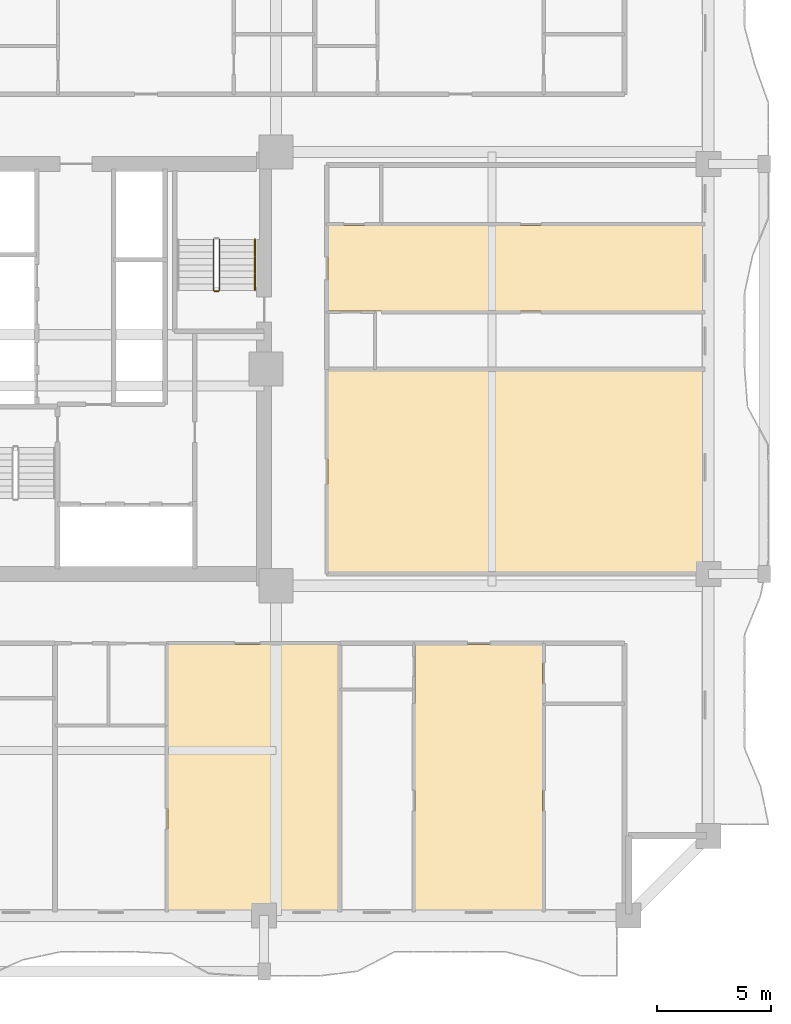
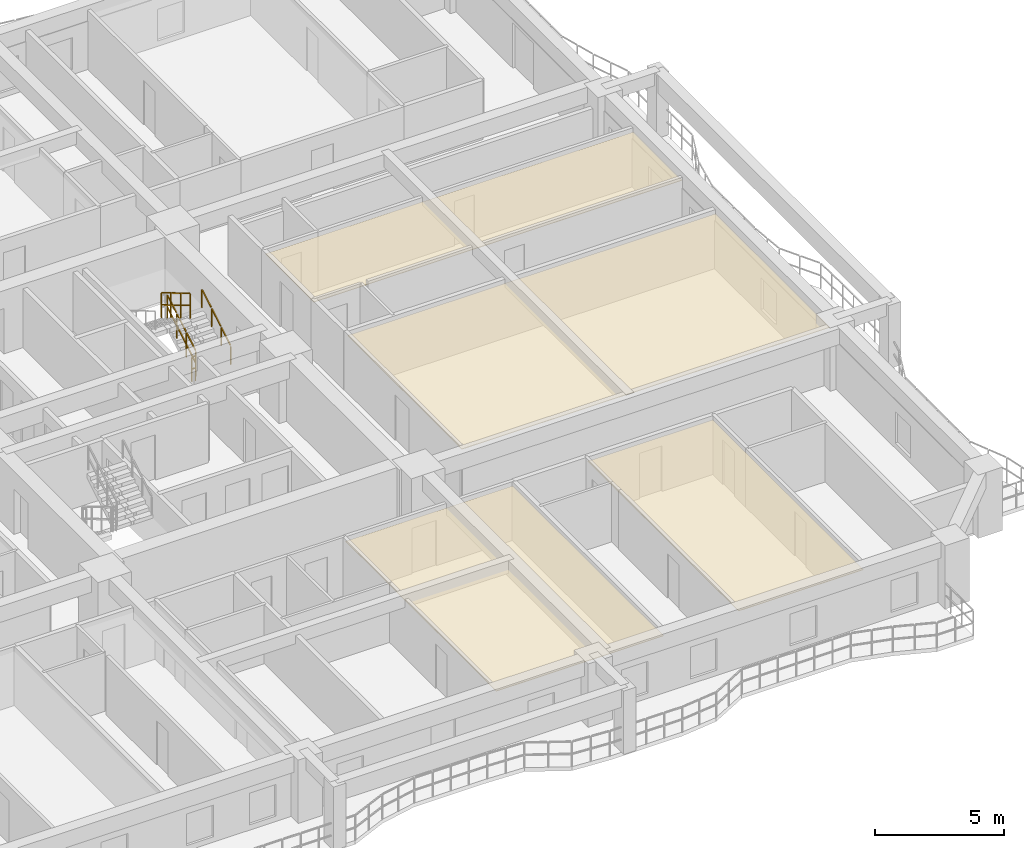
# One storey, part 13 of 15: 4 coverings, 4 railings.
"""IFC4 building model written with IfcOpenShell, lengths in metres."""

from ifc_helpers import new_model, si_unit, direction, frame, origin, origin_2d, place, context, subcontext, project, spatial, polyline, rectangle, outline, extrude, material, layer, layer_set, type_object, element, save


model = new_model("IFC4")

# Units and contexts
model_context = context("Model", 3, precision=1e-05, world=origin(), true_north=direction((0.0, 1.0)))
body_context = subcontext(model_context, "Body", "Model", "MODEL_VIEW")
ifc_project = project(units=[si_unit("LENGTHUNIT", "METRE"), si_unit("AREAUNIT", "SQUARE_METRE"), si_unit("VOLUMEUNIT", "CUBIC_METRE"), si_unit("PLANEANGLEUNIT", "RADIAN"), si_unit("MASSUNIT", "GRAM", prefix="KILO")], contexts=[model_context])

# Site, building, storey
site_placement = place(None, origin())
site = spatial("IfcSite", under=ifc_project, at=site_placement, CompositionType="ELEMENT")
building_placement = place(site_placement, origin())
building = spatial("IfcBuilding", under=site, at=building_placement, Name="Saelheon Loggia Tower", CompositionType="ELEMENT")
storey_placement = place(building_placement, frame((0.0, 0.0, 49.39990234375)))
storey = spatial("IfcBuildingStorey", under=building, at=storey_placement, Name="L15", CompositionType="ELEMENT", Elevation=49.39990234375)

# Coverings
ifc_material_1 = material(Name="Mineral-Fibre Acoustic Ceiling Board", Category="gypsum")
ifc_layer = layer(ifc_material_1, 0.02490234375)
ifc_layer_set = layer_set([ifc_layer], Name="Mineral-Fibre Acoustic Ceiling Board")
covering_type = type_object("IfcCoveringType", Name="Cov_Ceiling_Acoustic", PredefinedType="CEILING", material=ifc_layer_set)
covering_1_placement = place(storey_placement, frame((0.0, 0.0, 2.53515625)))
element("IfcCovering", 1, at=covering_1_placement, inside=storey, type_object=covering_type, Name="L15 Acoustic Suspended Ceiling", PredefinedType="CEILING", context=body_context, shape_type="SweptSolid", body=[
    extrude(outline(polyline([(40.271484375, 3.199951171875), (47.770751953125, 3.199951171875), (47.770751953125, 14.89990234375), (40.271484375, 14.89990234375), (40.271484375, 3.199951171875)])), origin(), (0.0, 0.0, 1.0), 0.02490234375),
])
covering_2_placement = place(storey_placement, frame((0.0, 0.0, 2.53515625)))
element("IfcCovering", 2, at=covering_2_placement, inside=storey, type_object=covering_type, Name="L15 Acoustic Suspended Ceiling", PredefinedType="CEILING", context=body_context, shape_type="SweptSolid", body=[
    extrude(outline(polyline([(51.12060546875, 3.199951171875), (56.721923828125, 3.199951171875), (56.721923828125, 14.89990234375), (51.12060546875, 14.89990234375), (51.12060546875, 3.199951171875)])), origin(), (0.0, 0.0, 1.0), 0.02490234375),
])
covering_3_placement = place(storey_placement, frame((0.0, 0.0, 2.53515625)))
element("IfcCovering", 3, at=covering_3_placement, inside=storey, type_object=covering_type, Name="L15 Acoustic Suspended Ceiling", PredefinedType="CEILING", context=body_context, shape_type="SweptSolid", body=[
    extrude(outline(polyline([(47.300048828125, 18.050048828125), (63.800048828125, 18.050048828125), (63.800048828125, 26.925048828125), (47.300048828125, 26.925048828125), (47.300048828125, 18.050048828125)])), origin(), (0.0, 0.0, 1.0), 0.02490234375),
])
covering_4_placement = place(storey_placement, frame((0.0, 0.0, 2.53515625)))
element("IfcCovering", 4, at=covering_4_placement, inside=storey, type_object=covering_type, Name="L15 Acoustic Suspended Ceiling", PredefinedType="CEILING", context=body_context, shape_type="SweptSolid", body=[
    extrude(outline(polyline([(47.300048828125, 29.5380859375), (63.800048828125, 29.5380859375), (63.800048828125, 33.300048828125), (47.300048828125, 33.300048828125), (47.300048828125, 29.5380859375)])), origin(), (0.0, 0.0, 1.0), 0.02490234375),
])

# Railings
ifc_material_2 = material(Name="Galvanised Steel S275 Stairwell Guardrail", Category="steel")
railing_type_1 = type_object("IfcRailingType", Name="Guard_StairWell_RL_STG", PredefinedType="GUARDRAIL", material=ifc_material_2)
railing_1_placement = place(storey_placement, frame((42.5400390625, 30.449951171875, 0.166748046875)))
element("IfcRailing", 5, at=railing_1_placement, inside=storey, type_object=railing_type_1, Name="L15 ST2 stair guard 1", PredefinedType="GUARDRAIL", context=body_context, shape_type="SweptSolid", body=[
    extrude(rectangle(XDim=0.048095703125, YDim=0.048095703125, at=origin_2d()), frame((0.0, 0.028564453125, 1.19287109375), z_axis=(0.0, 0.859305625298, 0.511462454469), x_axis=(-1.0, 0.0, 0.0)), (0.0, 0.0, 1.0), 0.802490234375),
    extrude(rectangle(XDim=0.048095703125, YDim=0.048095703125, at=origin_2d()), frame((0.0, 0.028564453125, 0.616943359375), z_axis=(0.0, 0.859305625298, 0.511462454469), x_axis=(-1.0, 0.0, 0.0)), (0.0, 0.0, 1.0), 0.802490234375),
    extrude(rectangle(XDim=0.048095703125, YDim=0.048095703125, at=origin_2d()), frame((0.0, 0.775146484375, 1.63720703125), z_axis=(0.0, 0.859305625298, 0.511462454469), x_axis=(-1.0, 0.0, 0.0)), (0.0, 0.0, 1.0), 0.802490234375),
    extrude(rectangle(XDim=0.048095703125, YDim=0.048095703125, at=origin_2d()), frame((0.0, 0.775146484375, 1.061279296875), z_axis=(0.0, 0.859305625298, 0.511462454469), x_axis=(-1.0, 0.0, 0.0)), (0.0, 0.0, 1.0), 0.802490234375),
    extrude(rectangle(XDim=0.048095703125, YDim=0.048095703125, at=origin_2d()), frame((0.0, 1.52197265625, 2.081787109375), z_axis=(0.0, 0.859305625298, 0.511462454469), x_axis=(-1.0, 0.0, 0.0)), (0.0, 0.0, 1.0), 0.802490234375),
    extrude(rectangle(XDim=0.048095703125, YDim=0.048095703125, at=origin_2d()), frame((0.0, 1.52197265625, 1.505859375), z_axis=(0.0, 0.859305625298, 0.511462454469), x_axis=(-1.0, 0.0, 0.0)), (0.0, 0.0, 1.0), 0.802490234375),
    extrude(rectangle(XDim=0.0419921875, YDim=0.0419921875, at=origin_2d()), origin(), (0.0, 0.0, 1.0), 1.14794921875),
    extrude(rectangle(XDim=0.0419921875, YDim=0.0419921875, at=origin_2d()), frame((0.0, 0.74658203125, 0.4443359375)), (0.0, 0.0, 1.0), 1.14794921875),
    extrude(rectangle(XDim=0.0419921875, YDim=0.0419921875, at=origin_2d()), frame((0.0, 1.493408203125, 0.888916015625)), (0.0, 0.0, 1.0), 1.14794921875),
    extrude(rectangle(XDim=0.0419921875, YDim=0.0419921875, at=origin_2d()), frame((0.0, 2.239990234375, 1.333251953125)), (0.0, 0.0, 1.0), 1.14794921875),
])
railing_2_placement = place(storey_placement, frame((42.280029296875, 32.68994140625, 1.666748046875)))
element("IfcRailing", 6, at=railing_2_placement, inside=storey, type_object=railing_type_1, Name="L15 ST2 stair guard 3", PredefinedType="GUARDRAIL", context=body_context, shape_type="SweptSolid", body=[
    extrude(rectangle(XDim=0.048095703125, YDim=0.048095703125, at=origin_2d()), frame((0.0, -0.028564453125, 1.19287109375), z_axis=(0.0, -0.859305625298, 0.511462454469), x_axis=(1.0, 0.0, 0.0)), (0.0, 0.0, 1.0), 0.802490234375),
    extrude(rectangle(XDim=0.048095703125, YDim=0.048095703125, at=origin_2d()), frame((0.0, -0.028564453125, 0.616943359375), z_axis=(0.0, -0.859305625298, 0.511462454469), x_axis=(1.0, 0.0, 0.0)), (0.0, 0.0, 1.0), 0.802490234375),
    extrude(rectangle(XDim=0.048095703125, YDim=0.048095703125, at=origin_2d()), frame((0.0, -0.775146484375, 1.63720703125), z_axis=(0.0, -0.859305625298, 0.511462454469), x_axis=(1.0, 0.0, 0.0)), (0.0, 0.0, 1.0), 0.802490234375),
    extrude(rectangle(XDim=0.048095703125, YDim=0.048095703125, at=origin_2d()), frame((0.0, -0.775146484375, 1.061279296875), z_axis=(0.0, -0.859305625298, 0.511462454469), x_axis=(1.0, 0.0, 0.0)), (0.0, 0.0, 1.0), 0.802490234375),
    extrude(rectangle(XDim=0.048095703125, YDim=0.048095703125, at=origin_2d()), frame((0.0, -1.52197265625, 2.081787109375), z_axis=(0.0, -0.859305625298, 0.511462454469), x_axis=(1.0, 0.0, 0.0)), (0.0, 0.0, 1.0), 0.802490234375),
    extrude(rectangle(XDim=0.048095703125, YDim=0.048095703125, at=origin_2d()), frame((0.0, -1.52197265625, 1.505859375), z_axis=(0.0, -0.859305625298, 0.511462454469), x_axis=(1.0, 0.0, 0.0)), (0.0, 0.0, 1.0), 0.802490234375),
    extrude(rectangle(XDim=0.0419921875, YDim=0.0419921875, at=origin_2d()), origin(), (0.0, 0.0, 1.0), 1.14794921875),
    extrude(rectangle(XDim=0.0419921875, YDim=0.0419921875, at=origin_2d()), frame((0.0, -0.74658203125, 0.4443359375)), (0.0, 0.0, 1.0), 1.14794921875),
    extrude(rectangle(XDim=0.0419921875, YDim=0.0419921875, at=origin_2d()), frame((0.0, -1.493408203125, 0.888916015625)), (0.0, 0.0, 1.0), 1.14794921875),
    extrude(rectangle(XDim=0.0419921875, YDim=0.0419921875, at=origin_2d()), frame((0.0, -2.239990234375, 1.333251953125)), (0.0, 0.0, 1.0), 1.14794921875),
])
railing_3_placement = place(storey_placement, frame((42.489990234375, 30.39990234375, 0.0)))
element("IfcRailing", 7, at=railing_3_placement, inside=storey, type_object=railing_type_1, Name="L15 ST2 stair guard 4", PredefinedType="GUARDRAIL", context=body_context, shape_type="SweptSolid", body=[
    extrude(rectangle(XDim=0.048095703125, YDim=0.048095703125, at=origin_2d()), frame((-0.033203125, 0.0, 1.17578125), z_axis=(-1.0, 0.0, 0.0), x_axis=(0.0, -1.0, 0.0)), (0.0, 0.0, 1.0), 0.093505859375),
    extrude(rectangle(XDim=0.048095703125, YDim=0.048095703125, at=origin_2d()), frame((-0.033203125, 0.0, 0.60009765625), z_axis=(-1.0, 0.0, 0.0), x_axis=(0.0, -1.0, 0.0)), (0.0, 0.0, 1.0), 0.093505859375),
    extrude(rectangle(XDim=0.0419921875, YDim=0.0419921875, at=origin_2d()), origin(), (0.0, 0.0, 1.0), 1.14794921875),
    extrude(rectangle(XDim=0.0419921875, YDim=0.0419921875, at=origin_2d()), frame((-0.159912109375, 0.0, 0.0)), (0.0, 0.0, 1.0), 1.14794921875),
])
ifc_material_3 = material(Name="Stainless Steel 304 Tubular Handrail", Category="steel")
railing_type_2 = type_object("IfcRailingType", Name="Handrail_Stair_RL_HR1", PredefinedType="HANDRAIL", material=ifc_material_3)
railing_4_placement = place(storey_placement, frame((44.10009765625, 30.449951171875, 0.166748046875)))
element("IfcRailing", 8, at=railing_4_placement, inside=storey, type_object=railing_type_2, Name="L15 ST2 stair handrail 1", PredefinedType="HANDRAIL", context=body_context, shape_type="SweptSolid", body=[
    extrude(rectangle(XDim=0.048095703125, YDim=0.048095703125, at=origin_2d()), frame((0.0, 0.028564453125, 0.892822265625), z_axis=(0.0, 0.859305625298, 0.511462454469), x_axis=(-1.0, 0.0, 0.0)), (0.0, 0.0, 1.0), 0.802490234375),
    extrude(rectangle(XDim=0.048095703125, YDim=0.048095703125, at=origin_2d()), frame((0.0, 0.775146484375, 1.337158203125), z_axis=(0.0, 0.859305625298, 0.511462454469), x_axis=(-1.0, 0.0, 0.0)), (0.0, 0.0, 1.0), 0.802490234375),
    extrude(rectangle(XDim=0.048095703125, YDim=0.048095703125, at=origin_2d()), frame((0.0, 1.52197265625, 1.78173828125), z_axis=(0.0, 0.859305625298, 0.511462454469), x_axis=(-1.0, 0.0, 0.0)), (0.0, 0.0, 1.0), 0.802490234375),
    extrude(rectangle(XDim=0.0419921875, YDim=0.0419921875, at=origin_2d()), origin(), (0.0, 0.0, 1.0), 0.847900390625),
    extrude(rectangle(XDim=0.0419921875, YDim=0.0419921875, at=origin_2d()), frame((0.0, 0.74658203125, 0.4443359375)), (0.0, 0.0, 1.0), 0.847900390625),
    extrude(rectangle(XDim=0.0419921875, YDim=0.0419921875, at=origin_2d()), frame((0.0, 1.493408203125, 0.888916015625)), (0.0, 0.0, 1.0), 0.847900390625),
    extrude(rectangle(XDim=0.0419921875, YDim=0.0419921875, at=origin_2d()), frame((0.0, 2.239990234375, 1.333251953125)), (0.0, 0.0, 1.0), 0.847900390625),
])

save(model, "model.ifc")
